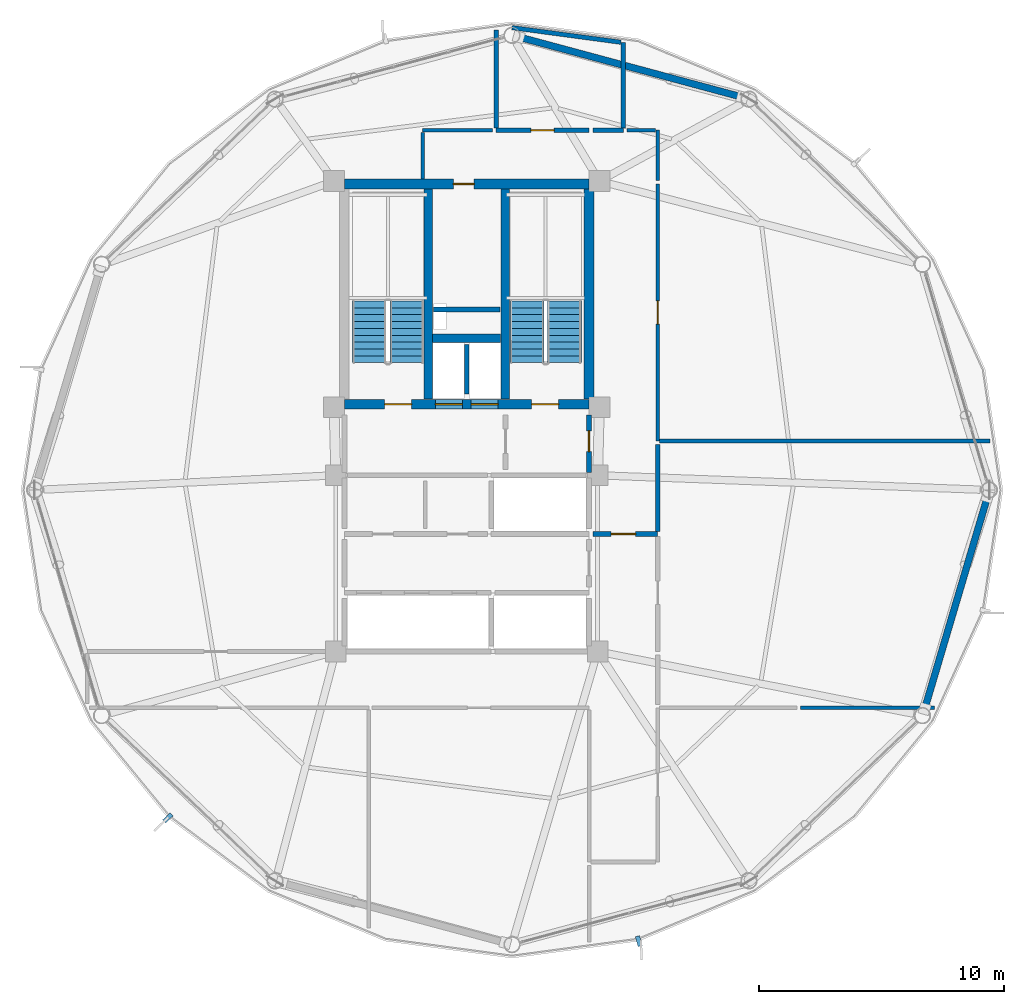
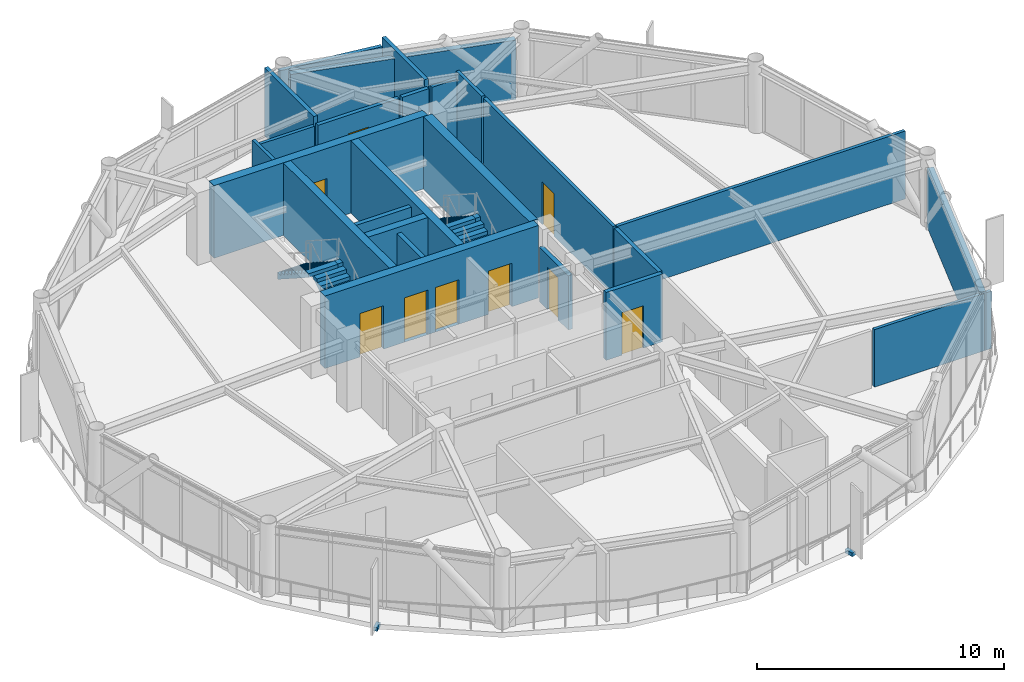
# One storey, part 24 of 28: 25 walls, 9 doors, 4 stair flights, 2 discrete accessories, 9 openings, 2 elements without a shape of their own.
"""IFC4 building model written with IfcOpenShell, lengths in metres."""

from ifc_helpers import new_model, si_unit, direction, frame, frame_2d, origin, origin_2d, place, context, subcontext, project, spatial, polyline, rectangle, outline, extrude, source, transform, mapped, material, layer, layer_set, type_object, type_shapes, element, fill, aggregate, save


model = new_model("IFC4")

# Units and contexts
model_context = context("Model", 3, precision=1e-05, world=origin(), true_north=direction((0.0, 1.0)))
body_context = subcontext(model_context, "Body", "Model", "MODEL_VIEW")
ifc_project = project(units=[si_unit("LENGTHUNIT", "METRE"), si_unit("AREAUNIT", "SQUARE_METRE"), si_unit("VOLUMEUNIT", "CUBIC_METRE"), si_unit("PLANEANGLEUNIT", "RADIAN"), si_unit("MASSUNIT", "GRAM", prefix="KILO")], contexts=[model_context])

# Site, building, storey
site_placement = place(None, origin())
site = spatial("IfcSite", under=ifc_project, at=site_placement, CompositionType="ELEMENT")
building_placement = place(site_placement, origin())
building = spatial("IfcBuilding", under=site, at=building_placement, Name="Varnakorn Sky Granary", CompositionType="ELEMENT")
storey_placement = place(building_placement, frame((0.0, 0.0, 193.199951171875)))
storey = spatial("IfcBuildingStorey", under=building, at=storey_placement, Name="L48", CompositionType="ELEMENT", Elevation=193.199951171875)

# Walls
ifc_material_1 = material(Name="Concrete C50/60", Category="concrete")
ifc_layer_1 = layer(ifc_material_1, 0.35009765625, Name="Concrete C50/60")
ifc_layer_set_1 = layer_set([ifc_layer_1], Name="Concrete C50/60")
wall_type_1 = type_object("IfcWallType", Name="WT-CW-INT-350", PredefinedType="SHEAR", material=ifc_layer_set_1)
for number, where, z_axis, x_axis, name in (
    (1, (1.419921875, 3.7099609375, 0.0), (0.0, 0.0, 1.0), (0.0, 1.0, 0.0), "Stair ST-1 Core Wall L48"),
    (2, (4.580078125, 3.7099609375, 0.0), (0.0, 0.0, 1.0), (0.0, 1.0, 0.0), "Stair ST-2 Core Wall L48"),
):
    element("IfcWall", number, at=place(storey_placement, frame(where, z_axis=z_axis, x_axis=x_axis)), inside=storey, type_object=wall_type_1, Name=name, PredefinedType="SHEAR", context=body_context, shape_type="SweptSolid", body=[
        extrude(rectangle(XDim=8.580078125, YDim=0.35009765625, at=frame_2d((4.2900390625, 0.0))), origin(), (0.0, 0.0, 1.0), 3.592041015625),
    ])
wall_1_placement = place(storey_placement, frame((1.610107421875, 6.199951171875, 0.0), z_axis=(0.0, 0.0, 1.0), x_axis=(1.0, 0.0, 0.0)))
element("IfcWall", 3, at=wall_1_placement, inside=storey, type_object=wall_type_1, Name="Core Lift Shaft Cross Wall L48", PredefinedType="SHEAR", context=body_context, shape_type="SweptSolid", body=[
    extrude(rectangle(XDim=2.77978515625, YDim=0.35009765625, at=frame_2d((1.389892578125, 0.0))), origin(), (0.0, 0.0, 1.0), 3.592041015625),
])

# Wall, openings, doors
ifc_layer_2 = layer(ifc_material_1, 0.39990234375, Name="Concrete C50/60")
ifc_layer_set_2 = layer_set([ifc_layer_2], Name="Concrete C50/60")
wall_type_2 = type_object("IfcWallType", Name="WT-CW-SHEAR-400", PredefinedType="SHEAR", material=ifc_layer_set_2)
wall_2_placement = place(storey_placement, frame((-2.0, 3.5, 0.0), z_axis=(0.0, 0.0, 1.0), x_axis=(1.0, 0.0, 0.0)))
wall_2 = element("IfcWall", 4, at=wall_2_placement, inside=storey, type_object=wall_type_2, Name="Core South Shear Wall L48", PredefinedType="SHEAR", context=body_context, shape_type="SweptSolid", body=[
    extrude(rectangle(XDim=10.0, YDim=0.39990234375, at=frame_2d((5.0, 0.0))), origin(), (0.0, 0.0, 1.0), 3.592041015625),
])
opening_1_placement = place(wall_2_placement, frame((1.64990234375, 0.0, 0.0)))
opening_1 = element("IfcOpeningElement", 5, at=opening_1_placement, cuts=wall_2, Name="Opening FD-90", PredefinedType="OPENING", context=body_context, shape_type="SweptSolid", body=[
    extrude(rectangle(XDim=1.10009765625, YDim=2.14990234375, at=frame_2d((0.550048828125, 1.074951171875))), frame((0.0, 0.2099609375, 0.0), z_axis=(0.0, -1.0, 0.0), x_axis=(1.0, 0.0, 0.0)), (0.0, 0.0, 1.0), 0.419921875),
])
opening_2_placement = place(wall_2_placement, frame((7.64990234375, 0.0, 0.0)))
opening_2 = element("IfcOpeningElement", 6, at=opening_2_placement, cuts=wall_2, Name="Opening FD-90", PredefinedType="OPENING", context=body_context, shape_type="SweptSolid", body=[
    extrude(rectangle(XDim=1.10009765625, YDim=2.14990234375, at=frame_2d((0.550048828125, 1.074951171875))), frame((0.0, 0.2099609375, 0.0), z_axis=(0.0, -1.0, 0.0), x_axis=(1.0, 0.0, 0.0)), (0.0, 0.0, 1.0), 0.419921875),
])
opening_3_placement = place(wall_2_placement, frame((3.719970703125, 0.0, 0.0)))
opening_3 = element("IfcOpeningElement", 7, at=opening_3_placement, cuts=wall_2, Name="Opening LD-01", PredefinedType="OPENING", context=body_context, shape_type="SweptSolid", body=[
    extrude(rectangle(XDim=1.10009765625, YDim=2.199951171875, at=frame_2d((0.550048828125, 1.10009765625))), frame((0.0, 0.2099609375, 0.0), z_axis=(0.0, -1.0, 0.0), x_axis=(1.0, 0.0, 0.0)), (0.0, 0.0, 1.0), 0.419921875),
])
opening_4_placement = place(wall_2_placement, frame((5.179931640625, 0.0, 0.0)))
opening_4 = element("IfcOpeningElement", 8, at=opening_4_placement, cuts=wall_2, Name="Opening LD-01", PredefinedType="OPENING", context=body_context, shape_type="SweptSolid", body=[
    extrude(rectangle(XDim=1.10009765625, YDim=2.199951171875, at=frame_2d((0.550048828125, 1.10009765625))), frame((0.0, 0.2099609375, 0.0), z_axis=(0.0, -1.0, 0.0), x_axis=(1.0, 0.0, 0.0)), (0.0, 0.0, 1.0), 0.419921875),
])
ifc_material_2 = material(Name="Brushed Bronze Stainless Steel", Category="steel")
door_type_1 = type_object("IfcDoorType", Name="DR-LD-1100", OperationType="DOUBLE_DOOR_SLIDING", PredefinedType="DOOR", material=ifc_material_2)
door_1_placement = place(opening_3_placement, origin())
door_1 = element("IfcDoor", 9, at=door_1_placement, inside=storey, type_object=door_type_1, Name="Firefighting Lift FFL-1 Landing Door L48", OperationType="DOUBLE_DOOR_SLIDING", OverallHeight=2.199951171875, OverallWidth=1.10009765625, PredefinedType="DOOR", context=body_context, shape_type="SweptSolid", body=[
    extrude(rectangle(XDim=1.10009765625, YDim=2.199951171875, at=frame_2d((0.550048828125, 1.10009765625))), frame((0.0, 0.02490234375, 0.0), z_axis=(0.0, -1.0, 0.0), x_axis=(1.0, 0.0, 0.0)), (0.0, 0.0, 1.0), 0.050048828125),
])
fill(opening_3, door_1)
door_2_placement = place(opening_4_placement, origin())
door_2 = element("IfcDoor", 10, at=door_2_placement, inside=storey, type_object=door_type_1, Name="Firefighting Lift FFL-2 Landing Door L48", OperationType="DOUBLE_DOOR_SLIDING", OverallHeight=2.199951171875, OverallWidth=1.10009765625, PredefinedType="DOOR", context=body_context, shape_type="SweptSolid", body=[
    extrude(rectangle(XDim=1.10009765625, YDim=2.199951171875, at=frame_2d((0.550048828125, 1.10009765625))), frame((0.0, 0.02490234375, 0.0), z_axis=(0.0, -1.0, 0.0), x_axis=(1.0, 0.0, 0.0)), (0.0, 0.0, 1.0), 0.050048828125),
])
fill(opening_4, door_2)
ifc_material_3 = material(Name="Galvanised Painted Steel Leaf", Category="steel")
door_type_2 = type_object("IfcDoorType", Name="DR-STAIR-1100", OperationType="NOTDEFINED", PredefinedType="DOOR", material=ifc_material_3)
door_3_placement = place(opening_1_placement, origin())
door_3 = element("IfcDoor", 11, at=door_3_placement, inside=storey, type_object=door_type_2, Name="Stair ST-1 Protected Fire Door L48", OperationType="SINGLE_SWING_LEFT", OverallHeight=2.14990234375, OverallWidth=1.10009765625, PredefinedType="DOOR", context=body_context, shape_type="SweptSolid", body=[
    extrude(rectangle(XDim=1.10009765625, YDim=2.14990234375, at=frame_2d((0.550048828125, 1.074951171875))), frame((0.0, 0.02490234375, 0.0), z_axis=(0.0, -1.0, 0.0), x_axis=(1.0, 0.0, 0.0)), (0.0, 0.0, 1.0), 0.050048828125),
])
fill(opening_1, door_3)
door_4_placement = place(opening_2_placement, origin())
door_4 = element("IfcDoor", 12, at=door_4_placement, inside=storey, type_object=door_type_2, Name="Stair ST-2 Protected Fire Door L48", OperationType="SINGLE_SWING_RIGHT", OverallHeight=2.14990234375, OverallWidth=1.10009765625, PredefinedType="DOOR", context=body_context, shape_type="SweptSolid", body=[
    extrude(rectangle(XDim=1.10009765625, YDim=2.14990234375, at=frame_2d((0.550048828125, 1.074951171875))), frame((0.0, 0.02490234375, 0.0), z_axis=(0.0, -1.0, 0.0), x_axis=(1.0, 0.0, 0.0)), (0.0, 0.0, 1.0), 0.050048828125),
])
fill(opening_2, door_4)

# Wall, opening, door
wall_3_placement = place(storey_placement, frame((-2.0, 12.5, 0.0), z_axis=(0.0, 0.0, 1.0), x_axis=(1.0, 0.0, 0.0)))
wall_3 = element("IfcWall", 13, at=wall_3_placement, inside=storey, type_object=wall_type_2, Name="Core North Shear Wall L48", PredefinedType="SHEAR", context=body_context, shape_type="SweptSolid", body=[
    extrude(rectangle(XDim=10.0, YDim=0.39990234375, at=frame_2d((5.0, 0.0))), origin(), (0.0, 0.0, 1.0), 3.592041015625),
])
opening_5_placement = place(wall_3_placement, frame((4.449951171875, 0.0, 0.0)))
opening_5 = element("IfcOpeningElement", 14, at=opening_5_placement, cuts=wall_3, Name="Opening FD-60N", PredefinedType="OPENING", context=body_context, shape_type="SweptSolid", body=[
    extrude(rectangle(XDim=0.85009765625, YDim=2.10009765625, at=frame_2d((0.425048828125, 1.050048828125))), frame((0.0, 0.2099609375, 0.0), z_axis=(0.0, -1.0, 0.0), x_axis=(1.0, 0.0, 0.0)), (0.0, 0.0, 1.0), 0.419921875),
])
ifc_material_4 = material(Name="Acoustic Timber Fire Leaf", Category="wood")
door_type_3 = type_object("IfcDoorType", Name="DR-FD60-850", OperationType="NOTDEFINED", PredefinedType="DOOR", material=ifc_material_4)
door_5_placement = place(opening_5_placement, origin())
door_5 = element("IfcDoor", 15, at=door_5_placement, inside=storey, type_object=door_type_3, Name="Core North Service Door L48", OperationType="SINGLE_SWING_RIGHT", OverallHeight=2.10009765625, OverallWidth=0.85009765625, PredefinedType="DOOR", context=body_context, shape_type="SweptSolid", body=[
    extrude(rectangle(XDim=0.85009765625, YDim=2.10009765625, at=frame_2d((0.425048828125, 1.050048828125))), frame((0.0, 0.02490234375, 0.0), z_axis=(0.0, -1.0, 0.0), x_axis=(1.0, 0.0, 0.0)), (0.0, 0.0, 1.0), 0.050048828125),
])
fill(opening_5, door_5)

# Walls
wall_4_placement = place(storey_placement, frame((8.0, 3.7099609375, 0.0), z_axis=(0.0, 0.0, 1.0), x_axis=(0.0, 1.0, 0.0)))
element("IfcWall", 16, at=wall_4_placement, inside=storey, type_object=wall_type_2, Name="Core East Shear Wall L48", PredefinedType="SHEAR", context=body_context, shape_type="SweptSolid", body=[
    extrude(rectangle(XDim=8.580078125, YDim=0.39990234375, at=frame_2d((4.2900390625, 0.0))), origin(), (0.0, 0.0, 1.0), 3.592041015625),
])
ifc_material_5 = material(Name="Precast concrete C40/50", Category="concrete")
ifc_layer_3 = layer(ifc_material_5, 0.280029296875, Name="Precast concrete C40/50")
ifc_layer_set_3 = layer_set([ifc_layer_3], Name="Precast concrete C40/50")
wall_type_3 = type_object("IfcWallType", Name="WT-EW-CRN-280", PredefinedType="SOLIDWALL", material=ifc_layer_set_3)
wall_5_placement = place(storey_placement, frame((5.125244140625, 18.507080078125, 0.0), z_axis=(0.0, 0.0, 1.0), x_axis=(0.96565784614, -0.259817097567, 0.0)))
element("IfcWall", 17, at=wall_5_placement, inside=storey, type_object=wall_type_3, Name="Agritech Insulated Precast Facade Wall L48-P03", PredefinedType="SOLIDWALL", context=body_context, shape_type="SweptSolid", body=[
    extrude(rectangle(XDim=9.46240234375, YDim=0.280029296875, at=frame_2d((4.731201171875, 0.0))), origin(), (0.0, 0.0, 1.0), 2.929931640625),
])
wall_6_placement = place(storey_placement, frame((24.280029296875, -0.273193359375, 0.0), z_axis=(0.0, 0.0, 1.0), x_axis=(-0.283912868439, -0.958850083764, 0.0)))
element("IfcWall", 18, at=wall_6_placement, inside=storey, type_object=wall_type_3, Name="Agritech Insulated Precast Facade Wall L48-P12", PredefinedType="SOLIDWALL", context=body_context, shape_type="SweptSolid", body=[
    extrude(rectangle(XDim=9.048828125, YDim=0.280029296875, at=frame_2d((4.5244140625, 0.0))), origin(), (0.0, 0.0, 1.0), 2.929931640625),
])

# Wall, opening, door
ifc_material_6 = material(Name="Autoclaved Aerated Concrete Blockwork", Category="masonry")
ifc_layer_4 = layer(ifc_material_6, 0.199951171875, Name="Autoclaved Aerated Concrete Blockwork")
ifc_layer_set_4 = layer_set([ifc_layer_4], Name="Autoclaved Aerated Concrete Blockwork")
wall_type_4 = type_object("IfcWallType", Name="WT-FIRE-200", PredefinedType="MOVABLE", material=ifc_layer_set_4)
wall_7_placement = place(storey_placement, frame((8.0, 0.719970703125, 0.0), z_axis=(0.0, 0.0, 1.0), x_axis=(0.0, 1.0, 0.0)))
wall_7 = element("IfcWall", 19, at=wall_7_placement, inside=storey, type_object=wall_type_4, Name="Interior Partition Wall L48-015", PredefinedType="MOVABLE", context=body_context, shape_type="SweptSolid", body=[
    extrude(rectangle(XDim=2.35009765625, YDim=0.199951171875, at=frame_2d((1.175048828125, 0.0))), origin(), (0.0, 0.0, 1.0), 2.692138671875),
])
opening_6_placement = place(wall_7_placement, frame((0.844970703125, 0.0, 0.0)))
opening_6 = element("IfcOpeningElement", 20, at=opening_6_placement, cuts=wall_7, Name="Opening FD-60N", PredefinedType="OPENING", context=body_context, shape_type="SweptSolid", body=[
    extrude(rectangle(XDim=0.85009765625, YDim=2.10009765625, at=frame_2d((0.425048828125, 1.050048828125))), frame((0.0, 0.10986328125, 0.0), z_axis=(0.0, -1.0, 0.0), x_axis=(1.0, 0.0, 0.0)), (0.0, 0.0, 1.0), 0.219970703125),
])
door_6_placement = place(opening_6_placement, origin())
door_6 = element("IfcDoor", 21, at=door_6_placement, inside=storey, type_object=door_type_3, Name="Interior Door L48-015-1", OperationType="SINGLE_SWING_RIGHT", OverallHeight=2.10009765625, OverallWidth=0.85009765625, PredefinedType="DOOR", context=body_context, shape_type="SweptSolid", body=[
    extrude(rectangle(XDim=0.85009765625, YDim=2.10009765625, at=frame_2d((0.425048828125, 1.050048828125))), frame((0.0, 0.02490234375, 0.0), z_axis=(0.0, -1.0, 0.0), x_axis=(1.0, 0.0, 0.0)), (0.0, 0.0, 1.0), 0.050048828125),
])
fill(opening_6, door_6)

wall_8_placement = place(storey_placement, frame((8.159912109375, -1.800048828125, 0.0), z_axis=(0.0, 0.0, 1.0), x_axis=(1.0, 0.0, 0.0)))
wall_8 = element("IfcWall", 22, at=wall_8_placement, inside=storey, type_object=wall_type_4, Name="Interior Partition Wall L48-018", PredefinedType="MOVABLE", context=body_context, shape_type="SweptSolid", body=[
    extrude(rectangle(XDim=2.64013671875, YDim=0.199951171875, at=frame_2d((1.320068359375, 0.0))), origin(), (0.0, 0.0, 1.0), 3.360107421875),
])
opening_7_placement = place(wall_8_placement, frame((0.739990234375, 0.0, 0.0)))
opening_7 = element("IfcOpeningElement", 23, at=opening_7_placement, cuts=wall_8, Name="Opening FD-60", PredefinedType="OPENING", context=body_context, shape_type="SweptSolid", body=[
    extrude(rectangle(XDim=1.0, YDim=2.10009765625, at=frame_2d((0.5, 1.050048828125))), frame((0.0, 0.10986328125, 0.0), z_axis=(0.0, -1.0, 0.0), x_axis=(1.0, 0.0, 0.0)), (0.0, 0.0, 1.0), 0.219970703125),
])
door_type_4 = type_object("IfcDoorType", Name="DR-FD60-1000", OperationType="NOTDEFINED", PredefinedType="DOOR", material=ifc_material_4)
door_7_placement = place(opening_7_placement, origin())
door_7 = element("IfcDoor", 24, at=door_7_placement, inside=storey, type_object=door_type_4, Name="Interior Door L48-018-1", OperationType="SINGLE_SWING_RIGHT", OverallHeight=2.10009765625, OverallWidth=1.0, PredefinedType="DOOR", context=body_context, shape_type="SweptSolid", body=[
    extrude(rectangle(XDim=1.0, YDim=2.10009765625, at=frame_2d((0.5, 1.050048828125))), frame((0.0, 0.02490234375, 0.0), z_axis=(0.0, -1.0, 0.0), x_axis=(1.0, 0.0, 0.0)), (0.0, 0.0, 1.0), 0.050048828125),
])
fill(opening_7, door_7)

ifc_material_7 = material(Name="Gypsum Plasterboard on Steel Stud", Category="steel")
ifc_layer_5 = layer(ifc_material_7, 0.14990234375, Name="Gypsum Plasterboard on Steel Stud")
ifc_layer_set_5 = layer_set([ifc_layer_5], Name="Gypsum Plasterboard on Steel Stud")
wall_type_5 = type_object("IfcWallType", Name="WT-PART-150", PredefinedType="PARTITIONING", material=ifc_layer_set_5)
wall_9_placement = place(storey_placement, frame((10.800048828125, 2.0, 0.0), z_axis=(0.0, 0.0, 1.0), x_axis=(0.0, 1.0, 0.0)))
wall_9 = element("IfcWall", 25, at=wall_9_placement, inside=storey, type_object=wall_type_5, Name="Interior Partition Wall L48-025", PredefinedType="PARTITIONING", context=body_context, shape_type="SweptSolid", body=[
    extrude(rectangle(XDim=10.5, YDim=0.14990234375, at=frame_2d((5.25, 0.0))), origin(), (0.0, 0.0, 1.0), 3.360107421875),
])
opening_8_placement = place(wall_9_placement, frame((4.77490234375, 0.0, 0.0)))
opening_8 = element("IfcOpeningElement", 26, at=opening_8_placement, cuts=wall_9, Name="Opening ID-95", PredefinedType="OPENING", context=body_context, shape_type="SweptSolid", body=[
    extrude(rectangle(XDim=0.949951171875, YDim=2.10009765625, at=frame_2d((0.47509765625, 1.050048828125))), frame((0.0, 0.0849609375, 0.0), z_axis=(0.0, -1.0, 0.0), x_axis=(1.0, 0.0, 0.0)), (0.0, 0.0, 1.0), 0.169921875),
])
ifc_material_8 = material(Name="Solid-Core Teak Veneer Leaf", Category="timber")
door_type_5 = type_object("IfcDoorType", Name="DR-INT-950", OperationType="NOTDEFINED", PredefinedType="DOOR", material=ifc_material_8)
door_8_placement = place(opening_8_placement, origin())
door_8 = element("IfcDoor", 27, at=door_8_placement, inside=storey, type_object=door_type_5, Name="Interior Door L48-025-1", OperationType="SINGLE_SWING_LEFT", OverallHeight=2.10009765625, OverallWidth=0.949951171875, PredefinedType="DOOR", context=body_context, shape_type="SweptSolid", body=[
    extrude(rectangle(XDim=0.949951171875, YDim=2.10009765625, at=frame_2d((0.47509765625, 1.050048828125))), frame((0.0, 0.02490234375, 0.0), z_axis=(0.0, -1.0, 0.0), x_axis=(1.0, 0.0, 0.0)), (0.0, 0.0, 1.0), 0.050048828125),
])
fill(opening_8, door_8)

# Walls
wall_10_placement = place(storey_placement, frame((16.635009765625, -8.89990234375, 0.0), z_axis=(0.0, 0.0, 1.0), x_axis=(1.0, 0.0, 0.0)))
element("IfcWall", 28, at=wall_10_placement, inside=storey, type_object=wall_type_5, Name="Interior Partition Wall L48-037", PredefinedType="PARTITIONING", context=body_context, shape_type="SweptSolid", body=[
    extrude(rectangle(XDim=5.48193359375, YDim=0.14990234375, at=frame_2d((2.740966796875, 0.0))), origin(), (0.0, 0.0, 1.0), 2.842041015625),
])
wall_11_placement = place(storey_placement, frame((4.050048828125, 14.699951171875, 0.0), z_axis=(0.0, 0.0, 1.0), x_axis=(-1.0, 0.0, 0.0)))
element("IfcWall", 29, at=wall_11_placement, inside=storey, type_object=wall_type_5, Name="Interior Partition Wall L48-039", PredefinedType="PARTITIONING", context=body_context, shape_type="SweptSolid", body=[
    extrude(rectangle(XDim=2.85009765625, YDim=0.14990234375, at=frame_2d((1.425048828125, 0.0))), origin(), (0.0, 0.0, 1.0), 3.011962890625),
])
wall_12_placement = place(storey_placement, frame((1.199951171875, 14.614990234375, 0.0), z_axis=(0.0, 0.0, 1.0), x_axis=(0.0, -1.0, 0.0)))
element("IfcWall", 30, at=wall_12_placement, inside=storey, type_object=wall_type_5, Name="Interior Partition Wall L48-040", PredefinedType="PARTITIONING", context=body_context, shape_type="SweptSolid", body=[
    extrude(rectangle(XDim=1.905029296875, YDim=0.14990234375, at=frame_2d((0.95263671875, 0.0))), origin(), (0.0, 0.0, 1.0), 3.360107421875),
])
wall_13_placement = place(storey_placement, frame((10.885009765625, 2.0, 0.0), z_axis=(0.0, 0.0, 1.0), x_axis=(1.0, 0.0, 0.0)))
element("IfcWall", 31, at=wall_13_placement, inside=storey, type_object=wall_type_5, Name="Interior Partition Wall L48-044", PredefinedType="PARTITIONING", context=body_context, shape_type="SweptSolid", body=[
    extrude(rectangle(XDim=13.490966796875, YDim=0.14990234375, at=frame_2d((6.74560546875, 0.0))), origin(), (0.0, 0.0, 1.0), 3.360107421875),
])
wall_14_placement = place(storey_placement, frame((10.800048828125, 12.635009765625, 0.0), z_axis=(0.0, 0.0, 1.0), x_axis=(0.0, 1.0, 0.0)))
element("IfcWall", 32, at=wall_14_placement, inside=storey, type_object=wall_type_5, Name="Interior Partition Wall L48-045", PredefinedType="PARTITIONING", context=body_context, shape_type="SweptSolid", body=[
    extrude(rectangle(XDim=2.06494140625, YDim=0.14990234375, at=frame_2d((1.032470703125, 0.0))), origin(), (0.0, 0.0, 1.0), 3.360107421875),
])
wall_15_placement = place(storey_placement, frame((10.715087890625, 14.699951171875, 0.0), z_axis=(0.0, 0.0, 1.0), x_axis=(-1.0, 0.0, 0.0)))
element("IfcWall", 33, at=wall_15_placement, inside=storey, type_object=wall_type_5, Name="Interior Partition Wall L48-046", PredefinedType="PARTITIONING", context=body_context, shape_type="SweptSolid", body=[
    extrude(rectangle(XDim=1.1650390625, YDim=0.14990234375, at=frame_2d((0.58251953125, 0.0))), origin(), (0.0, 0.0, 1.0), 3.011962890625),
])

# Wall, opening, door
ifc_material_9 = material(Name="Moisture-Resistant Gypsum on Stud", Category="gypsum")
ifc_layer_6 = layer(ifc_material_9, 0.179931640625, Name="Moisture-Resistant Gypsum on Stud")
ifc_layer_set_6 = layer_set([ifc_layer_6], Name="Moisture-Resistant Gypsum on Stud")
wall_type_6 = type_object("IfcWallType", Name="WT-PLUMB-180", PredefinedType="PLUMBINGWALL", material=ifc_layer_set_6)
wall_16_placement = place(storey_placement, frame((8.0, 14.699951171875, 0.0), z_axis=(0.0, 0.0, 1.0), x_axis=(-1.0, 0.0, 0.0)))
wall_16 = element("IfcWall", 34, at=wall_16_placement, inside=storey, type_object=wall_type_6, Name="Interior Partition Wall L48-019", PredefinedType="PLUMBINGWALL", context=body_context, shape_type="SweptSolid", body=[
    extrude(rectangle(XDim=3.800048828125, YDim=0.179931640625, at=frame_2d((1.89990234375, 0.0))), origin(), (0.0, 0.0, 1.0), 3.011962890625),
])
opening_9_placement = place(wall_16_placement, frame((1.425048828125, 0.0, 0.0)))
opening_9 = element("IfcOpeningElement", 35, at=opening_9_placement, cuts=wall_16, Name="Opening ID-95", PredefinedType="OPENING", context=body_context, shape_type="SweptSolid", body=[
    extrude(rectangle(XDim=0.949951171875, YDim=2.10009765625, at=frame_2d((0.47509765625, 1.050048828125))), frame((0.0, 0.10009765625, 0.0), z_axis=(0.0, -1.0, 0.0), x_axis=(1.0, 0.0, 0.0)), (0.0, 0.0, 1.0), 0.199951171875),
])
door_9_placement = place(opening_9_placement, origin())
door_9 = element("IfcDoor", 36, at=door_9_placement, inside=storey, type_object=door_type_5, Name="Interior Door L48-019-1", OperationType="SINGLE_SWING_LEFT", OverallHeight=2.10009765625, OverallWidth=0.949951171875, PredefinedType="DOOR", context=body_context, shape_type="SweptSolid", body=[
    extrude(rectangle(XDim=0.949951171875, YDim=2.10009765625, at=frame_2d((0.47509765625, 1.050048828125))), frame((0.0, 0.02490234375, 0.0), z_axis=(0.0, -1.0, 0.0), x_axis=(1.0, 0.0, 0.0)), (0.0, 0.0, 1.0), 0.050048828125),
])
fill(opening_9, door_9)

# Walls
wall_17_placement = place(storey_placement, frame((9.39990234375, 14.699951171875, 0.0), z_axis=(0.0, 0.0, 1.0), x_axis=(-1.0, 0.0, 0.0)))
element("IfcWall", 37, at=wall_17_placement, inside=storey, type_object=wall_type_6, Name="Interior Partition Wall L48-031", PredefinedType="PLUMBINGWALL", context=body_context, shape_type="SweptSolid", body=[
    extrude(rectangle(XDim=1.25, YDim=0.179931640625, at=frame_2d((0.625, 0.0))), origin(), (0.0, 0.0, 1.0), 3.011962890625),
])
wall_18_placement = place(storey_placement, frame((4.199951171875, 18.803955078125, 0.0), z_axis=(0.0, 0.0, 1.0), x_axis=(0.0, -1.0, 0.0)))
element("IfcWall", 38, at=wall_18_placement, inside=storey, type_object=wall_type_6, Name="Interior Partition Wall L48-041", PredefinedType="PLUMBINGWALL", context=body_context, shape_type="SweptSolid", body=[
    extrude(rectangle(XDim=4.00390625, YDim=0.179931640625, at=frame_2d((2.001953125, 0.0))), origin(), (0.0, 0.0, 1.0), 3.360107421875),
])
wall_19_placement = place(storey_placement, frame((10.800048828125, -1.68994140625, 0.0), z_axis=(0.0, 0.0, 1.0), x_axis=(0.0, 1.0, 0.0)))
element("IfcWall", 39, at=wall_19_placement, inside=storey, type_object=wall_type_6, Name="Interior Partition Wall L48-043", PredefinedType="PLUMBINGWALL", context=body_context, shape_type="SweptSolid", body=[
    extrude(rectangle(XDim=3.554931640625, YDim=0.179931640625, at=frame_2d((1.77734375, 0.0))), origin(), (0.0, 0.0, 1.0), 3.360107421875),
])
wall_20_placement = place(storey_placement, frame((9.39990234375, 14.800048828125, 0.0), z_axis=(0.0, 0.0, 1.0), x_axis=(0.0, 1.0, 0.0)))
element("IfcWall", 40, at=wall_20_placement, inside=storey, type_object=wall_type_6, Name="Interior Partition Wall L48-047", PredefinedType="PLUMBINGWALL", context=body_context, shape_type="SweptSolid", body=[
    extrude(rectangle(XDim=3.47998046875, YDim=0.179931640625, at=frame_2d((1.739990234375, 0.0))), origin(), (0.0, 0.0, 1.0), 3.360107421875),
])
wall_21_placement = place(storey_placement, frame((9.301025390625, 18.29296875, 0.0), z_axis=(0.0, 0.0, 1.0), x_axis=(-0.991090631959, 0.133189185909, 0.0)))
element("IfcWall", 41, at=wall_21_placement, inside=storey, type_object=wall_type_6, Name="Interior Partition Wall L48-048", PredefinedType="PLUMBINGWALL", context=body_context, shape_type="SweptSolid", body=[
    extrude(rectangle(XDim=4.490966796875, YDim=0.179931640625, at=frame_2d((2.24560546875, 0.0))), origin(), (0.0, 0.0, 1.0), 2.942138671875),
])
ifc_layer_7 = layer(ifc_material_6, 0.199951171875, Name="Autoclaved Aerated Concrete Blockwork")
ifc_layer_set_7 = layer_set([ifc_layer_7], Name="Autoclaved Aerated Concrete Blockwork")
wall_type_7 = type_object("IfcWallType", Name="WT-SHAFT-200", PredefinedType="SOLIDWALL", material=ifc_layer_set_7)
wall_22_placement = place(storey_placement, frame((3.0, 3.919921875, 0.0), z_axis=(0.0, 0.0, 1.0), x_axis=(0.0, 1.0, 0.0)))
element("IfcWall", 42, at=wall_22_placement, inside=storey, type_object=wall_type_7, Name="Interior Partition Wall L48-001", PredefinedType="SOLIDWALL", context=body_context, shape_type="SweptSolid", body=[
    extrude(rectangle(XDim=2.030029296875, YDim=0.199951171875, at=frame_2d((1.01513671875, 0.0))), origin(), (0.0, 0.0, 1.0), 3.360107421875),
])
wall_23_placement = place(storey_placement, frame((1.64990234375, 7.3798828125, 0.0), z_axis=(0.0, 0.0, 1.0), x_axis=(1.0, 0.0, 0.0)))
element("IfcWall", 43, at=wall_23_placement, inside=storey, type_object=wall_type_7, Name="Interior Partition Wall L48-002", PredefinedType="SOLIDWALL", context=body_context, shape_type="SweptSolid", body=[
    extrude(rectangle(XDim=2.7001953125, YDim=0.199951171875, at=frame_2d((1.35009765625, 0.0))), origin(), (0.0, 0.0, 1.0), 3.360107421875),
])

# Stair, stair flights
ifc_material_10 = material(Name="Concrete C40/50", Category="concrete")
stair_type = type_object("IfcStairType", Name="ST-MAIN-ASSEMBLY", PredefinedType="HALF_TURN_STAIR", material=ifc_material_10)
stair_1_placement = place(storey_placement, origin())
stair_1 = element("IfcStair", 44, at=stair_1_placement, inside=storey, type_object=stair_type, Name="L48 Protected Exit Stair ST-1", PredefinedType="HALF_TURN_STAIR")
stair_flight_type = type_object("IfcStairFlightType", Name="ST-MAIN-FLIGHT", PredefinedType="STRAIGHT", material=ifc_material_10)
stair_flight_1_placement = place(storey_placement, frame((0.550048828125, 5.199951171875, 0.0), z_axis=(0.0, 0.0, 1.0), x_axis=(0.0, 1.0, 0.0)))
stair_flight_1 = element("IfcStairFlight", 45, at=stair_flight_1_placement, type_object=stair_flight_type, Name="ST-1 flight 1", NumberOfRisers=10, NumberOfTreads=9, PredefinedType="STRAIGHT", RiserHeight=0.18, TreadLength=0.28, context=body_context, shape_type="SweptSolid", body=[
    extrude(outline(polyline([(0.0, -0.14990234375), (0.0, 0.0), (0.0, 0.179931640625), (0.280029296875, 0.179931640625), (0.280029296875, 0.360107421875), (0.56005859375, 0.360107421875), (0.56005859375, 0.5400390625), (0.840087890625, 0.5400390625), (0.840087890625, 0.719970703125), (1.1201171875, 0.719970703125), (1.1201171875, 0.89990234375), (1.39990234375, 0.89990234375), (1.39990234375, 1.080078125), (1.679931640625, 1.080078125), (1.679931640625, 1.260009765625), (1.9599609375, 1.260009765625), (1.9599609375, 1.43994140625), (2.239990234375, 1.43994140625), (2.239990234375, 1.6201171875), (2.52001953125, 1.6201171875), (2.52001953125, 1.800048828125), (2.52001953125, 1.44189453125), (0.050048828125, -0.14990234375), (0.0, -0.14990234375)])), frame((0.0, 0.68994140625, 0.0), z_axis=(0.0, -1.0, 0.0), x_axis=(1.0, 0.0, 0.0)), (0.0, 0.0, 1.0), 1.3798828125),
])
stair_flight_2_placement = place(storey_placement, frame((-0.97998046875, 7.719970703125, 1.800048828125), z_axis=(0.0, 0.0, 1.0), x_axis=(0.0, -1.0, 0.0)))
stair_flight_2 = element("IfcStairFlight", 46, at=stair_flight_2_placement, type_object=stair_flight_type, Name="ST-1 flight 2", NumberOfRisers=10, NumberOfTreads=9, PredefinedType="STRAIGHT", RiserHeight=0.18, TreadLength=0.28, context=body_context, shape_type="SweptSolid", body=[
    extrude(outline(polyline([(0.0, -0.14990234375), (0.0, 0.0), (0.0, 0.179931640625), (0.280029296875, 0.179931640625), (0.280029296875, 0.360107421875), (0.56005859375, 0.360107421875), (0.56005859375, 0.5400390625), (0.840087890625, 0.5400390625), (0.840087890625, 0.719970703125), (1.1201171875, 0.719970703125), (1.1201171875, 0.89990234375), (1.39990234375, 0.89990234375), (1.39990234375, 1.080078125), (1.679931640625, 1.080078125), (1.679931640625, 1.260009765625), (1.9599609375, 1.260009765625), (1.9599609375, 1.43994140625), (2.239990234375, 1.43994140625), (2.239990234375, 1.6201171875), (2.52001953125, 1.6201171875), (2.52001953125, 1.800048828125), (2.52001953125, 1.44189453125), (0.050048828125, -0.14990234375), (0.0, -0.14990234375)])), frame((0.0, 0.68994140625, 0.0), z_axis=(0.0, -1.0, 0.0), x_axis=(1.0, 0.0, 0.0)), (0.0, 0.0, 1.0), 1.3798828125),
])
aggregate(stair_1, [stair_flight_1, stair_flight_2])

stair_2_placement = place(storey_placement, origin())
stair_2 = element("IfcStair", 47, at=stair_2_placement, inside=storey, type_object=stair_type, Name="L48 Protected Exit Stair ST-2", PredefinedType="HALF_TURN_STAIR")
stair_flight_3_placement = place(storey_placement, frame((6.989990234375, 5.199951171875, 0.0), z_axis=(0.0, 0.0, 1.0), x_axis=(0.0, 1.0, 0.0)))
stair_flight_3 = element("IfcStairFlight", 48, at=stair_flight_3_placement, type_object=stair_flight_type, Name="ST-2 flight 1", NumberOfRisers=10, NumberOfTreads=9, PredefinedType="STRAIGHT", RiserHeight=0.18, TreadLength=0.28, context=body_context, shape_type="SweptSolid", body=[
    extrude(outline(polyline([(0.0, -0.14990234375), (0.0, 0.0), (0.0, 0.179931640625), (0.280029296875, 0.179931640625), (0.280029296875, 0.360107421875), (0.56005859375, 0.360107421875), (0.56005859375, 0.5400390625), (0.840087890625, 0.5400390625), (0.840087890625, 0.719970703125), (1.1201171875, 0.719970703125), (1.1201171875, 0.89990234375), (1.39990234375, 0.89990234375), (1.39990234375, 1.080078125), (1.679931640625, 1.080078125), (1.679931640625, 1.260009765625), (1.9599609375, 1.260009765625), (1.9599609375, 1.43994140625), (2.239990234375, 1.43994140625), (2.239990234375, 1.6201171875), (2.52001953125, 1.6201171875), (2.52001953125, 1.800048828125), (2.52001953125, 1.44189453125), (0.050048828125, -0.14990234375), (0.0, -0.14990234375)])), frame((0.0, 0.68994140625, 0.0), z_axis=(0.0, -1.0, 0.0), x_axis=(1.0, 0.0, 0.0)), (0.0, 0.0, 1.0), 1.3798828125),
])
stair_flight_4_placement = place(storey_placement, frame((5.4599609375, 7.719970703125, 1.800048828125), z_axis=(0.0, 0.0, 1.0), x_axis=(0.0, -1.0, 0.0)))
stair_flight_4 = element("IfcStairFlight", 49, at=stair_flight_4_placement, type_object=stair_flight_type, Name="ST-2 flight 2", NumberOfRisers=10, NumberOfTreads=9, PredefinedType="STRAIGHT", RiserHeight=0.18, TreadLength=0.28, context=body_context, shape_type="SweptSolid", body=[
    extrude(outline(polyline([(0.0, -0.14990234375), (0.0, 0.0), (0.0, 0.179931640625), (0.280029296875, 0.179931640625), (0.280029296875, 0.360107421875), (0.56005859375, 0.360107421875), (0.56005859375, 0.5400390625), (0.840087890625, 0.5400390625), (0.840087890625, 0.719970703125), (1.1201171875, 0.719970703125), (1.1201171875, 0.89990234375), (1.39990234375, 0.89990234375), (1.39990234375, 1.080078125), (1.679931640625, 1.080078125), (1.679931640625, 1.260009765625), (1.9599609375, 1.260009765625), (1.9599609375, 1.43994140625), (2.239990234375, 1.43994140625), (2.239990234375, 1.6201171875), (2.52001953125, 1.6201171875), (2.52001953125, 1.800048828125), (2.52001953125, 1.44189453125), (0.050048828125, -0.14990234375), (0.0, -0.14990234375)])), frame((0.0, 0.68994140625, 0.0), z_axis=(0.0, -1.0, 0.0), x_axis=(1.0, 0.0, 0.0)), (0.0, 0.0, 1.0), 1.3798828125),
])
aggregate(stair_2, [stair_flight_3, stair_flight_4])

# Discrete accessories
ifc_material_11 = material(Name="Steel S355JR", Category="steel")
discrete_accessory_type = type_object("IfcDiscreteAccessoryType", Name="AC-BRK-01", PredefinedType="BRACKET", material=ifc_material_11)
shared_shape = source(origin(), body_context, "Body", "SweptSolid", [
    extrude(rectangle(XDim=0.179931640625, YDim=0.419921875, at=origin_2d()), origin(), (0.0, 0.0, 1.0), 0.179931640625),
])
type_shapes(discrete_accessory_type, [shared_shape])
for number, where, z_axis, x_axis, name in (
    (50, (-9.2099609375, -13.398193359375, -0.19970703125), (0.0, 0.0, 1.0), (0.689866661671, -0.723936453782, 0.0), "Facade Solar-Screen Outrigger Bracket L48-08"),
    (51, (10.031982421875, -18.435302734375, -0.19970703125), (0.0, 0.0, 1.0), (0.962690862536, 0.270603590495, 0.0), "Facade Solar-Screen Outrigger Bracket L48-10"),
):
    element("IfcDiscreteAccessory", number, at=place(storey_placement, frame(where, z_axis=z_axis, x_axis=x_axis)), inside=storey, type_object=discrete_accessory_type, Name=name, PredefinedType="BRACKET", context=body_context, shape_type="MappedRepresentation", body=[
        mapped(shared_shape, transform((0.0, 0.0, 0.0), x_axis=(1.0, 0.0, 0.0), y_axis=(0.0, 1.0, 0.0), z_axis=(0.0, 0.0, 1.0), scale=1.0)),
    ])

save(model, "model.ifc")
